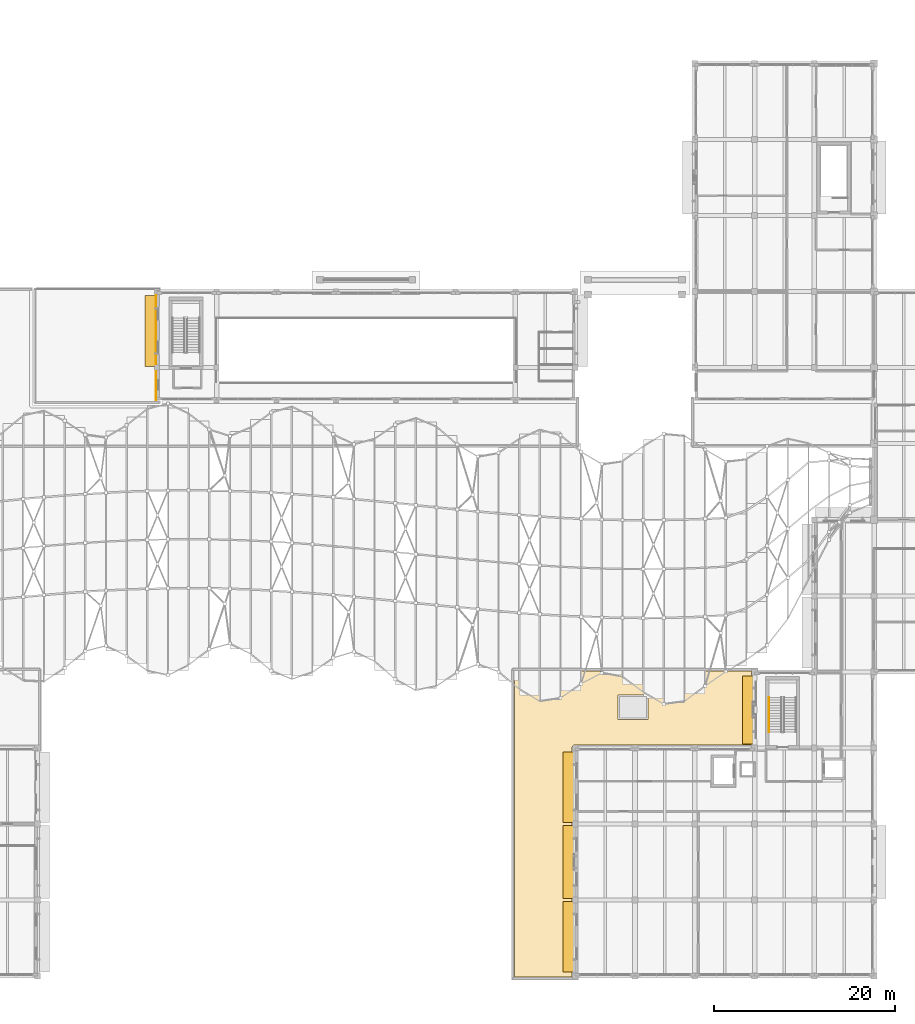
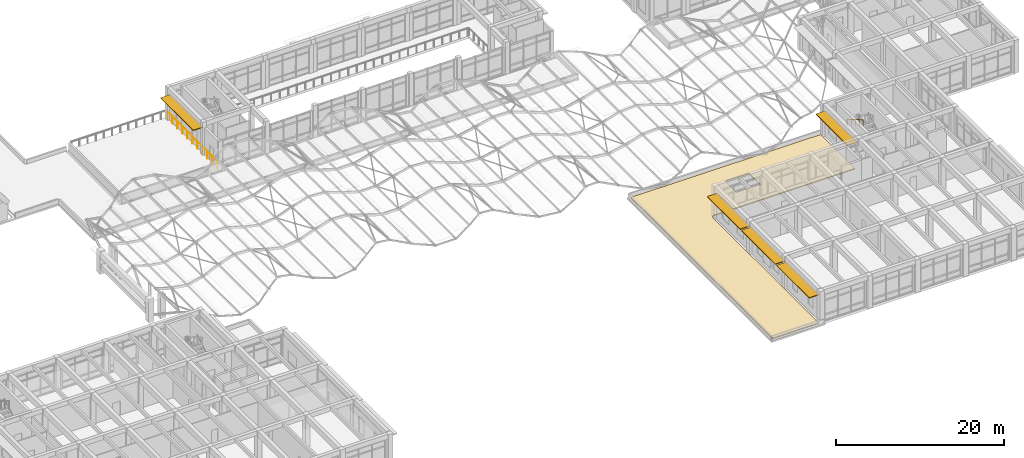
# One storey, part 71 of 79: 5 shading devices, 2 railings, 1 covering.
"""IFC4 building model written with IfcOpenShell, lengths in metres."""

from ifc_helpers import new_model, si_unit, direction, frame, origin, origin_2d, place, context, subcontext, project, spatial, polyline, rectangle, circle, outline, extrude, material, layer, layer_set, type_object, element, save


model = new_model("IFC4")

# Units and contexts
model_context = context("Model", 3, precision=1e-05, world=origin(), true_north=direction((0.0, 1.0)))
body_context = subcontext(model_context, "Body", "Model", "MODEL_VIEW")
ifc_project = project(units=[si_unit("LENGTHUNIT", "METRE"), si_unit("AREAUNIT", "SQUARE_METRE"), si_unit("VOLUMEUNIT", "CUBIC_METRE"), si_unit("PLANEANGLEUNIT", "RADIAN"), si_unit("MASSUNIT", "GRAM", prefix="KILO")], contexts=[model_context])

# Site, building, storey
site_placement = place(None, origin())
site = spatial("IfcSite", under=ifc_project, at=site_placement, CompositionType="ELEMENT")
building_placement = place(site_placement, origin())
building = spatial("IfcBuilding", under=site, at=building_placement, Name="Kolvaren Faculty of Natural Sciences", CompositionType="ELEMENT")
storey_placement = place(building_placement, frame((0.0, 0.0, 10.199951171875)))
storey = spatial("IfcBuildingStorey", under=building, at=storey_placement, Name="L02", CompositionType="ELEMENT", Elevation=10.199951171875)

# Shading devices
ifc_material_1 = material(Name="Precast concrete C35/45", Category="concrete")
ifc_layer_1 = layer(ifc_material_1, 0.1201171875)
ifc_layer_set_1 = layer_set([ifc_layer_1], Name="Precast concrete C35/45")
shading_device_type = type_object("IfcShadingDeviceType", Name="ChhajjaSolarHood_1350", PredefinedType="AWNING", material=ifc_layer_set_1)
shading_device_1_placement = place(storey_placement, frame((124.945068359375, 38.0, 3.695068359375), z_axis=(0.0, 0.0, 1.0), x_axis=(0.0, 1.0, 0.0)))
element("IfcShadingDevice", 1, at=shading_device_1_placement, inside=storey, type_object=shading_device_type, Name="L02 precast sandstone chhajja solar hood 95", PredefinedType="AWNING", context=body_context, shape_type="SweptSolid", body=[
    extrude(rectangle(XDim=7.5, YDim=1.35009765625, at=origin_2d()), origin(), (0.0, 0.0, 1.0), 0.1201171875),
])
shading_device_2_placement = place(storey_placement, frame((105.14501953125, 12.949951171875, 3.695068359375), z_axis=(0.0, 0.0, 1.0), x_axis=(0.0, 1.0, 0.0)))
element("IfcShadingDevice", 2, at=shading_device_2_placement, inside=storey, type_object=shading_device_type, Name="L02 precast sandstone chhajja solar hood 106", PredefinedType="AWNING", context=body_context, shape_type="SweptSolid", body=[
    extrude(rectangle(XDim=7.800048828125, YDim=1.35009765625, at=origin_2d()), origin(), (0.0, 0.0, 1.0), 0.1201171875),
])
shading_device_3_placement = place(storey_placement, frame((105.14501953125, 21.199951171875, 3.695068359375), z_axis=(0.0, 0.0, 1.0), x_axis=(0.0, 1.0, 0.0)))
element("IfcShadingDevice", 3, at=shading_device_3_placement, inside=storey, type_object=shading_device_type, Name="L02 precast sandstone chhajja solar hood 107", PredefinedType="AWNING", context=body_context, shape_type="SweptSolid", body=[
    extrude(rectangle(XDim=8.10009765625, YDim=1.35009765625, at=origin_2d()), origin(), (0.0, 0.0, 1.0), 0.1201171875),
])
for number, where, z_axis, x_axis, name in (
    (4, (105.14501953125, 29.449951171875, 3.695068359375), (0.0, 0.0, 1.0), (0.0, 1.0, 0.0), "L02 precast sandstone chhajja solar hood 108"),
    (5, (58.945068359375, 79.85009765625, 3.695068359375), (0.0, 0.0, 1.0), (0.0, 1.0, 0.0), "L02 precast sandstone chhajja solar hood 110"),
):
    element("IfcShadingDevice", number, at=place(storey_placement, frame(where, z_axis=z_axis, x_axis=x_axis)), inside=storey, type_object=shading_device_type, Name=name, PredefinedType="AWNING", context=body_context, shape_type="SweptSolid", body=[
        extrude(rectangle(XDim=7.800048828125, YDim=1.35009765625, at=origin_2d()), origin(), (0.0, 0.0, 1.0), 0.1201171875),
    ])

# Railing
ifc_material_2 = material(Name="Structural steel EN 10210-1 S355J2H", Category="steel")
ifc_layer_2 = layer(ifc_material_2, 0.048095703125)
ifc_layer_set_2 = layer_set([ifc_layer_2], Name="Structural steel EN 10210-1 S355J2H")
railing_type_1 = type_object("IfcRailingType", Name="GuardRailing_GRD110", PredefinedType="BALUSTRADE", material=ifc_layer_set_2)
railing_1_placement = place(storey_placement, frame((59.47998046875, 84.199951171875, 0.0)))
element("IfcRailing", 6, at=railing_1_placement, inside=storey, type_object=railing_type_1, Name="L02 West Street Canopy Overlook Roof Terrace perimeter balustrade 3", PredefinedType="BALUSTRADE", context=body_context, shape_type="SweptSolid", body=[
    extrude(circle(Radius=0.02392578125, at=origin_2d()), frame((0.0, 0.0, 1.09619140625), z_axis=(0.0, -1.0, 0.0), x_axis=(1.0, 0.0, 0.0)), (0.0, 0.0, 1.0), 11.969970703125),
    extrude(circle(Radius=0.02099609375, at=origin_2d()), origin(), (0.0, 0.0, 1.0), 1.072021484375),
    extrude(circle(Radius=0.02099609375, at=origin_2d()), frame((0.0, -1.197021484375, 0.0)), (0.0, 0.0, 1.0), 1.072021484375),
    extrude(circle(Radius=0.02099609375, at=origin_2d()), frame((0.0, -2.39404296875, 0.0)), (0.0, 0.0, 1.0), 1.072021484375),
    extrude(circle(Radius=0.02099609375, at=origin_2d()), frame((0.0, -3.591064453125, 0.0)), (0.0, 0.0, 1.0), 1.072021484375),
    extrude(circle(Radius=0.02099609375, at=origin_2d()), frame((0.0, -4.7880859375, 0.0)), (0.0, 0.0, 1.0), 1.072021484375),
    extrude(circle(Radius=0.02099609375, at=origin_2d()), frame((0.0, -5.98486328125, 0.0)), (0.0, 0.0, 1.0), 1.072021484375),
    extrude(circle(Radius=0.02099609375, at=origin_2d()), frame((0.0, -7.181884765625, 0.0)), (0.0, 0.0, 1.0), 1.072021484375),
    extrude(circle(Radius=0.02099609375, at=origin_2d()), frame((0.0, -8.37890625, 0.0)), (0.0, 0.0, 1.0), 1.072021484375),
    extrude(circle(Radius=0.02099609375, at=origin_2d()), frame((0.0, -9.575927734375, 0.0)), (0.0, 0.0, 1.0), 1.072021484375),
    extrude(circle(Radius=0.02099609375, at=origin_2d()), frame((0.0, -10.77294921875, 0.0)), (0.0, 0.0, 1.0), 1.072021484375),
    extrude(circle(Radius=0.02099609375, at=origin_2d()), frame((0.0, -11.969970703125, 0.0)), (0.0, 0.0, 1.0), 1.072021484375),
])

# Covering
ifc_material_3 = material(Name="SBS polymer-modified bitumen waterproofing membrane over PIR insulation")
ifc_layer_3 = layer(ifc_material_3, 0.139892578125)
ifc_layer_set_3 = layer_set([ifc_layer_3], Name="SBS polymer-modified bitumen waterproofing membrane over PIR insulation")
covering_type = type_object("IfcCoveringType", Name="InsulatedRoofMembrane_140", PredefinedType="ROOFING", material=ifc_layer_set_3)
covering_placement = place(storey_placement, origin())
element("IfcCovering", 7, at=covering_placement, inside=storey, type_object=covering_type, Name="L02 insulated warm-roof waterproofing membrane 1", PredefinedType="ROOFING", context=body_context, shape_type="SweptSolid", body=[
    extrude(outline(polyline([(99.090087890625, 8.489990234375), (99.090087890625, 42.31005859375), (125.278564453125, 42.31005859375), (125.2763671875, 42.30419921875), (125.27587890625, 42.30224609375), (125.271484375, 42.287109375), (125.27099609375, 42.285400390625), (125.264404296875, 42.25390625), (125.263916015625, 42.251953125), (125.260498046875, 42.218017578125), (125.260498046875, 42.216064453125), (125.260009765625, 42.199951171875), (125.260009765625, 34.139892578125), (105.800048828125, 34.139892578125), (105.783935546875, 34.1396484375), (105.781982421875, 34.139404296875), (105.748046875, 34.135986328125), (105.74609375, 34.1357421875), (105.714599609375, 34.129150390625), (105.712890625, 34.128662109375), (105.69775390625, 34.124267578125), (105.69580078125, 34.12353515625), (105.668701171875, 34.11376953125), (105.642578125, 34.101318359375), (105.640869140625, 34.100341796875), (105.62841796875, 34.093505859375), (105.626708984375, 34.09228515625), (105.607666015625, 34.080322265625), (105.60595703125, 34.0791015625), (105.582763671875, 34.0615234375), (105.56103515625, 34.041748046875), (105.5595703125, 34.040283203125), (105.55810546875, 34.0390625), (105.53857421875, 34.017333984375), (105.520751953125, 33.993896484375), (105.519775390625, 33.992431640625), (105.507568359375, 33.973388671875), (105.506591796875, 33.9716796875), (105.49951171875, 33.958984375), (105.498779296875, 33.95751953125), (105.486328125, 33.93115234375), (105.476318359375, 33.904052734375), (105.475830078125, 33.902099609375), (105.471435546875, 33.88720703125), (105.470947265625, 33.88525390625), (105.46435546875, 33.853759765625), (105.464111328125, 33.851806640625), (105.46044921875, 33.818115234375), (105.46044921875, 33.81591796875), (105.4599609375, 33.800048828125), (105.4599609375, 8.60009765625), (105.46044921875, 8.583984375), (105.46044921875, 8.58203125), (105.464111328125, 8.548095703125), (105.46435546875, 8.546142578125), (105.470947265625, 8.5146484375), (105.471435546875, 8.5126953125), (105.475830078125, 8.497802734375), (105.476318359375, 8.495849609375), (105.478515625, 8.489990234375), (99.090087890625, 8.489990234375)]), holes=[polyline([(113.824951171875, 39.633056640625), (110.52490234375, 39.633056640625), (110.52490234375, 36.93310546875), (113.824951171875, 36.93310546875), (113.824951171875, 39.633056640625)])]), origin(), (0.0, 0.0, 1.0), 0.14013671875),
])

# Railing
ifc_layer_4 = layer(ifc_material_2, 0.048095703125)
ifc_layer_set_4 = layer_set([ifc_layer_4], Name="Structural steel EN 10210-1 S355J2H")
railing_type_2 = type_object("IfcRailingType", Name="StairPitchHandrail_920", PredefinedType="HANDRAIL", material=ifc_layer_set_4)
railing_2_placement = place(storey_placement, frame((127.199951171875, 39.385009765625, 2.571533203125)))
element("IfcRailing", 8, at=railing_2_placement, inside=storey, type_object=railing_type_2, Name="L02 ST-3 stair handrail 2", PredefinedType="HANDRAIL", context=body_context, shape_type="SweptSolid", body=[
    extrude(circle(Radius=0.02392578125, at=origin_2d()), frame((0.0, 0.0, 0.8759765625), z_axis=(0.0, -0.86461618451, 0.502432934314), x_axis=(1.0, 0.0, 0.0)), (0.0, 0.0, 1.0), 4.435546875),
    extrude(circle(Radius=0.02099609375, at=origin_2d()), origin(), (0.0, 0.0, 1.0), 0.851806640625),
    extrude(circle(Radius=0.02099609375, at=origin_2d()), frame((0.0, -0.958740234375, 0.55712890625)), (0.0, 0.0, 1.0), 0.851806640625),
    extrude(circle(Radius=0.02099609375, at=origin_2d()), frame((0.0, -1.91748046875, 1.1142578125)), (0.0, 0.0, 1.0), 0.851806640625),
    extrude(circle(Radius=0.02099609375, at=origin_2d()), frame((0.0, -2.876220703125, 1.67138671875)), (0.0, 0.0, 1.0), 0.851806640625),
    extrude(circle(Radius=0.02099609375, at=origin_2d()), frame((0.0, -3.8349609375, 2.228515625)), (0.0, 0.0, 1.0), 0.851806640625),
])

save(model, "model.ifc")
